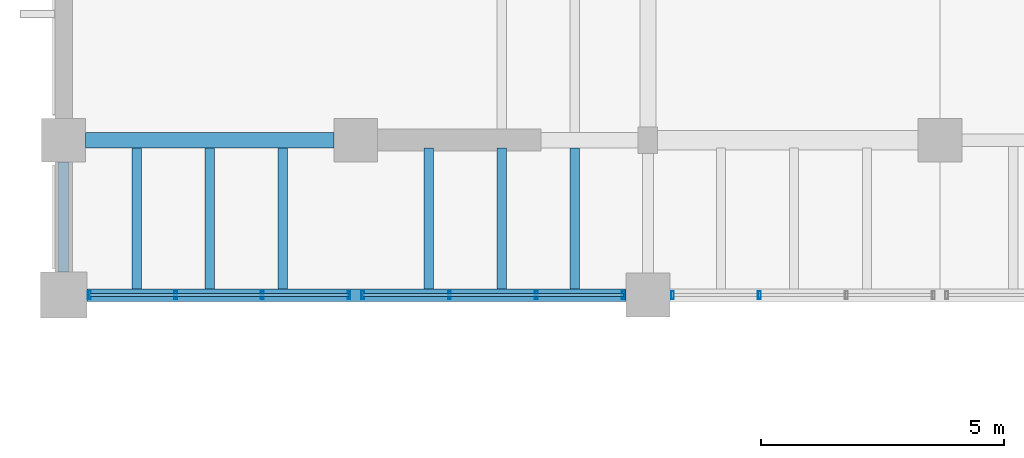
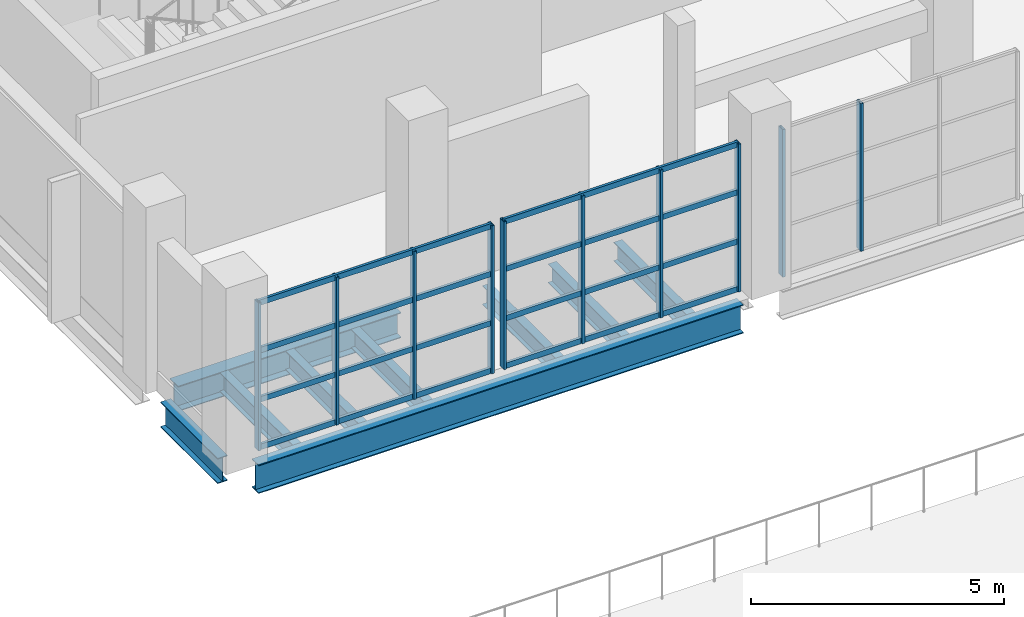
# One storey, part 36 of 78: 18 members, 9 beams, 3 elements without a shape of their own.
"""IFC4 building model written with IfcOpenShell, lengths in metres."""

from ifc_helpers import new_model, si_unit, direction, frame, origin, origin_2d, place, context, subcontext, project, spatial, hollow_rectangle, i_section, extrude, material, material_profile, profile_set, type_object, element, aggregate, save


model = new_model("IFC4")

# Units and contexts
model_context = context("Model", 3, precision=1e-05, world=origin(), true_north=direction((0.0, 1.0)))
body_context = subcontext(model_context, "Body", "Model", "MODEL_VIEW")
ifc_project = project(units=[si_unit("LENGTHUNIT", "METRE"), si_unit("AREAUNIT", "SQUARE_METRE"), si_unit("VOLUMEUNIT", "CUBIC_METRE"), si_unit("PLANEANGLEUNIT", "RADIAN"), si_unit("MASSUNIT", "GRAM", prefix="KILO")], contexts=[model_context])

# Site, building, storey
site_placement = place(None, origin())
site = spatial("IfcSite", under=ifc_project, at=site_placement, CompositionType="ELEMENT")
building_placement = place(site_placement, origin())
building = spatial("IfcBuilding", under=site, at=building_placement, Name="Kelmvaro Bay Concert Hall", CompositionType="ELEMENT")
storey_placement = place(building_placement, frame((0.0, 0.0, 9.300048828125)))
storey = spatial("IfcBuildingStorey", under=building, at=storey_placement, Name="L02", CompositionType="ELEMENT", Elevation=9.300048828125)

# Beams
ifc_material_1 = material(Name="Steel ASTM A992 Grade 50", Category="steel")
ifc_material_profile_1 = material_profile(ifc_material_1, i_section(OverallWidth=0.323974609375, OverallDepth=0.611083984375, WebThickness=0.0126953125, FlangeThickness=0.01904296875, at=origin_2d()), Name="W24X104")
ifc_profile_set_1 = profile_set([ifc_material_profile_1], Name="Steel ASTM A992 Grade 50")
beam_type_1 = type_object("IfcBeamType", Name="Foyer Frame Girder W24x104", PredefinedType="BEAM", material=ifc_profile_set_1)
beam_1_placement = place(storey_placement, frame((0.449951171875, 68.580078125, -0.60546875), z_axis=(1.0, 0.0, 0.0), x_axis=(0.0, 1.0, 0.0)))
element("IfcBeam", 1, at=beam_1_placement, inside=storey, type_object=beam_type_1, Name="L02 Girder BM-L02-EW-0756", PredefinedType="BEAM", context=body_context, shape_type="SweptSolid", body=[
    extrude(i_section(OverallWidth=0.323974609375, OverallDepth=0.611083984375, WebThickness=0.0126953125, FlangeThickness=0.01904296875, at=origin_2d()), origin(), (0.0, 0.0, 1.0), 5.10009765625),
])
ifc_material_2 = material(Name="Steel ASTM A992 Grade 50", Category="steel")
ifc_material_profile_2 = material_profile(ifc_material_2, i_section(OverallWidth=0.256103515625, OverallDepth=0.693115234375, WebThickness=0.014404296875, FlangeThickness=0.023681640625, at=origin_2d()), Name="W27X114")
ifc_profile_set_2 = profile_set([ifc_material_profile_2], Name="Steel ASTM A992 Grade 50")
beam_type_2 = type_object("IfcBeamType", Name="Foyer Primary Girder W27x114", PredefinedType="BEAM", material=ifc_profile_set_2)
beam_2_placement = place(storey_placement, frame((0.47509765625, 65.39990234375, -0.646484375), z_axis=(1.0, 0.0, 0.0), x_axis=(0.0, 1.0, 0.0)))
element("IfcBeam", 2, at=beam_2_placement, inside=storey, type_object=beam_type_2, Name="L02 Girder BM-L02-EW-0749", PredefinedType="BEAM", context=body_context, shape_type="SweptSolid", body=[
    extrude(i_section(OverallWidth=0.256103515625, OverallDepth=0.693115234375, WebThickness=0.014404296875, FlangeThickness=0.023681640625, at=origin_2d()), origin(), (0.0, 0.0, 1.0), 11.074951171875),
])

# Curtain wall, members
ifc_material_3 = material(Name="Anodised Aluminium and Low-E Insulated Glazing", Category="aluminium")
curtain_wall_type = type_object("IfcCurtainWallType", Name="Symphony South Gallery Curtain Wall 3920", PredefinedType="USERDEFINED", material=ifc_material_3)
curtain_wall_1_placement = place(storey_placement, origin())
curtain_wall_1 = element("IfcCurtainWall", 3, at=curtain_wall_1_placement, inside=storey, type_object=curtain_wall_type, Name="Unitised Curtain Wall CW-L02-010", ObjectType="UNITISED GLAZING", PredefinedType="USERDEFINED")
ifc_material_4 = material(Name="Anodised Extruded Aluminium 6063-T6", Category="aluminium")
ifc_material_profile_3 = material_profile(ifc_material_4, hollow_rectangle(XDim=0.06005859375, YDim=0.1650390625, WallThickness=0.00390625, at=origin_2d()), Name="ALU-MUL-165X60")
ifc_profile_set_3 = profile_set([ifc_material_profile_3], Name="Anodised Extruded Aluminium 6063-T6")
member_type_1 = type_object("IfcMemberType", Name="Gallery Mullion ALU 165x60", PredefinedType="MULLION", material=ifc_profile_set_3)
member_1_placement = place(storey_placement, frame((5.860107421875, 65.39990234375, 0.0), z_axis=(0.0, 0.0, 1.0), x_axis=(1.0, 0.0, 0.0)))
member_1 = element("IfcMember", 4, at=member_1_placement, type_object=member_type_1, Name="CW-L02-010 Mullion 01", PredefinedType="MULLION", context=body_context, shape_type="SweptSolid", body=[
    extrude(hollow_rectangle(XDim=0.06005859375, YDim=0.1650390625, WallThickness=0.00390625, at=origin_2d()), origin(), (0.0, 0.0, 1.0), 3.56884765625),
])
member_2_placement = place(storey_placement, frame((4.083251953125, 65.39990234375, 0.0), z_axis=(0.0, 0.0, 1.0), x_axis=(1.0, 0.0, 0.0)))
member_2 = element("IfcMember", 5, at=member_2_placement, type_object=member_type_1, Name="CW-L02-010 Mullion 02", PredefinedType="MULLION", context=body_context, shape_type="SweptSolid", body=[
    extrude(hollow_rectangle(XDim=0.06005859375, YDim=0.1650390625, WallThickness=0.00390625, at=origin_2d()), origin(), (0.0, 0.0, 1.0), 3.56884765625),
])
member_3_placement = place(storey_placement, frame((2.306640625, 65.39990234375, 0.0), z_axis=(0.0, 0.0, 1.0), x_axis=(1.0, 0.0, 0.0)))
member_3 = element("IfcMember", 6, at=member_3_placement, type_object=member_type_1, Name="CW-L02-010 Mullion 03", PredefinedType="MULLION", context=body_context, shape_type="SweptSolid", body=[
    extrude(hollow_rectangle(XDim=0.06005859375, YDim=0.1650390625, WallThickness=0.00390625, at=origin_2d()), origin(), (0.0, 0.0, 1.0), 3.56884765625),
])
member_4_placement = place(storey_placement, frame((0.530029296875, 65.39990234375, 0.0), z_axis=(0.0, 0.0, 1.0), x_axis=(1.0, 0.0, 0.0)))
member_4 = element("IfcMember", 7, at=member_4_placement, type_object=member_type_1, Name="CW-L02-010 Mullion 04", PredefinedType="MULLION", context=body_context, shape_type="SweptSolid", body=[
    extrude(hollow_rectangle(XDim=0.06005859375, YDim=0.1650390625, WallThickness=0.00390625, at=origin_2d()), origin(), (0.0, 0.0, 1.0), 3.56884765625),
])

curtain_wall_2_placement = place(storey_placement, origin())
curtain_wall_2 = element("IfcCurtainWall", 8, at=curtain_wall_2_placement, inside=storey, type_object=curtain_wall_type, Name="Unitised Curtain Wall CW-L02-011", ObjectType="UNITISED GLAZING", PredefinedType="USERDEFINED")
member_5_placement = place(storey_placement, frame((11.4951171875, 65.39990234375, 0.0), z_axis=(0.0, 0.0, 1.0), x_axis=(1.0, 0.0, 0.0)))
member_5 = element("IfcMember", 9, at=member_5_placement, type_object=member_type_1, Name="CW-L02-011 Mullion 01", PredefinedType="MULLION", context=body_context, shape_type="SweptSolid", body=[
    extrude(hollow_rectangle(XDim=0.06005859375, YDim=0.1650390625, WallThickness=0.00390625, at=origin_2d()), origin(), (0.0, 0.0, 1.0), 3.56884765625),
])
member_6_placement = place(storey_placement, frame((9.7099609375, 65.39990234375, 0.0), z_axis=(0.0, 0.0, 1.0), x_axis=(1.0, 0.0, 0.0)))
member_6 = element("IfcMember", 10, at=member_6_placement, type_object=member_type_1, Name="CW-L02-011 Mullion 02", PredefinedType="MULLION", context=body_context, shape_type="SweptSolid", body=[
    extrude(hollow_rectangle(XDim=0.06005859375, YDim=0.1650390625, WallThickness=0.00390625, at=origin_2d()), origin(), (0.0, 0.0, 1.0), 3.56884765625),
])
member_7_placement = place(storey_placement, frame((7.925048828125, 65.39990234375, 0.0), z_axis=(0.0, 0.0, 1.0), x_axis=(1.0, 0.0, 0.0)))
member_7 = element("IfcMember", 11, at=member_7_placement, type_object=member_type_1, Name="CW-L02-011 Mullion 03", PredefinedType="MULLION", context=body_context, shape_type="SweptSolid", body=[
    extrude(hollow_rectangle(XDim=0.06005859375, YDim=0.1650390625, WallThickness=0.00390625, at=origin_2d()), origin(), (0.0, 0.0, 1.0), 3.56884765625),
])
member_8_placement = place(storey_placement, frame((6.139892578125, 65.39990234375, 0.0), z_axis=(0.0, 0.0, 1.0), x_axis=(1.0, 0.0, 0.0)))
member_8 = element("IfcMember", 12, at=member_8_placement, type_object=member_type_1, Name="CW-L02-011 Mullion 04", PredefinedType="MULLION", context=body_context, shape_type="SweptSolid", body=[
    extrude(hollow_rectangle(XDim=0.06005859375, YDim=0.1650390625, WallThickness=0.00390625, at=origin_2d()), origin(), (0.0, 0.0, 1.0), 3.56884765625),
])

curtain_wall_3_placement = place(storey_placement, origin())
curtain_wall_3 = element("IfcCurtainWall", 13, at=curtain_wall_3_placement, inside=storey, type_object=curtain_wall_type, Name="Unitised Curtain Wall CW-L02-012", ObjectType="UNITISED GLAZING", PredefinedType="USERDEFINED")
member_9_placement = place(storey_placement, frame((14.2900390625, 65.39990234375, 0.0), z_axis=(0.0, 0.0, 1.0), x_axis=(1.0, 0.0, 0.0)))
member_9 = element("IfcMember", 14, at=member_9_placement, type_object=member_type_1, Name="CW-L02-012 Mullion 03", PredefinedType="MULLION", context=body_context, shape_type="SweptSolid", body=[
    extrude(hollow_rectangle(XDim=0.06005859375, YDim=0.1650390625, WallThickness=0.00390625, at=origin_2d()), origin(), (0.0, 0.0, 1.0), 3.56884765625),
])
member_10_placement = place(storey_placement, frame((12.5048828125, 65.39990234375, 0.0), z_axis=(0.0, 0.0, 1.0), x_axis=(1.0, 0.0, 0.0)))
member_10 = element("IfcMember", 15, at=member_10_placement, type_object=member_type_1, Name="CW-L02-012 Mullion 04", PredefinedType="MULLION", context=body_context, shape_type="SweptSolid", body=[
    extrude(hollow_rectangle(XDim=0.06005859375, YDim=0.1650390625, WallThickness=0.00390625, at=origin_2d()), origin(), (0.0, 0.0, 1.0), 3.56884765625),
])
aggregate(curtain_wall_3, [member_9, member_10])

# Member
ifc_material_5 = material(Name="Anodised Extruded Aluminium 6063-T6", Category="aluminium")
ifc_material_profile_4 = material_profile(ifc_material_5, hollow_rectangle(XDim=0.06005859375, YDim=0.135009765625, WallThickness=0.00390625, at=origin_2d()), Name="ALU-TRN-135X60")
ifc_profile_set_4 = profile_set([ifc_material_profile_4], Name="Anodised Extruded Aluminium 6063-T6")
member_type_2 = type_object("IfcMemberType", Name="Gallery Transom ALU 135x60", PredefinedType="USERDEFINED", material=ifc_profile_set_4)
member_11_placement = place(storey_placement, frame((5.860107421875, 65.39990234375, 0.0400390625), z_axis=(-1.0, 0.0, 0.0), x_axis=(0.0, -1.0, 0.0)))
member_11 = element("IfcMember", 16, at=member_11_placement, type_object=member_type_2, Name="CW-L02-010 Transom 01", ObjectType="TRANSOM", PredefinedType="USERDEFINED", context=body_context, shape_type="SweptSolid", body=[
    extrude(hollow_rectangle(XDim=0.06005859375, YDim=0.135009765625, WallThickness=0.00390625, at=origin_2d()), origin(), (0.0, 0.0, 1.0), 5.330078125),
])

member_12_placement = place(storey_placement, frame((5.860107421875, 65.39990234375, 1.189697265625), z_axis=(-1.0, 0.0, 0.0), x_axis=(0.0, -1.0, 0.0)))
member_12 = element("IfcMember", 17, at=member_12_placement, type_object=member_type_2, Name="CW-L02-010 Transom 02", ObjectType="TRANSOM", PredefinedType="USERDEFINED", context=body_context, shape_type="SweptSolid", body=[
    extrude(hollow_rectangle(XDim=0.06005859375, YDim=0.135009765625, WallThickness=0.00390625, at=origin_2d()), origin(), (0.0, 0.0, 1.0), 5.330078125),
])

member_13_placement = place(storey_placement, frame((5.860107421875, 65.39990234375, 2.379150390625), z_axis=(-1.0, 0.0, 0.0), x_axis=(0.0, -1.0, 0.0)))
member_13 = element("IfcMember", 18, at=member_13_placement, type_object=member_type_2, Name="CW-L02-010 Transom 03", ObjectType="TRANSOM", PredefinedType="USERDEFINED", context=body_context, shape_type="SweptSolid", body=[
    extrude(hollow_rectangle(XDim=0.06005859375, YDim=0.135009765625, WallThickness=0.00390625, at=origin_2d()), origin(), (0.0, 0.0, 1.0), 5.330078125),
])

member_14_placement = place(storey_placement, frame((5.860107421875, 65.39990234375, 3.529052734375), z_axis=(-1.0, 0.0, 0.0), x_axis=(0.0, -1.0, 0.0)))
member_14 = element("IfcMember", 19, at=member_14_placement, type_object=member_type_2, Name="CW-L02-010 Transom 04", ObjectType="TRANSOM", PredefinedType="USERDEFINED", context=body_context, shape_type="SweptSolid", body=[
    extrude(hollow_rectangle(XDim=0.06005859375, YDim=0.135009765625, WallThickness=0.00390625, at=origin_2d()), origin(), (0.0, 0.0, 1.0), 5.330078125),
])

aggregate(curtain_wall_1, [member_1, member_2, member_3, member_4, member_11, member_12, member_13, member_14])

member_15_placement = place(storey_placement, frame((11.4951171875, 65.39990234375, 0.0400390625), z_axis=(-1.0, 0.0, 0.0), x_axis=(0.0, -1.0, 0.0)))
member_15 = element("IfcMember", 20, at=member_15_placement, type_object=member_type_2, Name="CW-L02-011 Transom 01", ObjectType="TRANSOM", PredefinedType="USERDEFINED", context=body_context, shape_type="SweptSolid", body=[
    extrude(hollow_rectangle(XDim=0.06005859375, YDim=0.135009765625, WallThickness=0.00390625, at=origin_2d()), origin(), (0.0, 0.0, 1.0), 5.355224609375),
])

member_16_placement = place(storey_placement, frame((11.4951171875, 65.39990234375, 1.189697265625), z_axis=(-1.0, 0.0, 0.0), x_axis=(0.0, -1.0, 0.0)))
member_16 = element("IfcMember", 21, at=member_16_placement, type_object=member_type_2, Name="CW-L02-011 Transom 02", ObjectType="TRANSOM", PredefinedType="USERDEFINED", context=body_context, shape_type="SweptSolid", body=[
    extrude(hollow_rectangle(XDim=0.06005859375, YDim=0.135009765625, WallThickness=0.00390625, at=origin_2d()), origin(), (0.0, 0.0, 1.0), 5.355224609375),
])

member_17_placement = place(storey_placement, frame((11.4951171875, 65.39990234375, 2.379150390625), z_axis=(-1.0, 0.0, 0.0), x_axis=(0.0, -1.0, 0.0)))
member_17 = element("IfcMember", 22, at=member_17_placement, type_object=member_type_2, Name="CW-L02-011 Transom 03", ObjectType="TRANSOM", PredefinedType="USERDEFINED", context=body_context, shape_type="SweptSolid", body=[
    extrude(hollow_rectangle(XDim=0.06005859375, YDim=0.135009765625, WallThickness=0.00390625, at=origin_2d()), origin(), (0.0, 0.0, 1.0), 5.355224609375),
])

member_18_placement = place(storey_placement, frame((11.4951171875, 65.39990234375, 3.529052734375), z_axis=(-1.0, 0.0, 0.0), x_axis=(0.0, -1.0, 0.0)))
member_18 = element("IfcMember", 23, at=member_18_placement, type_object=member_type_2, Name="CW-L02-011 Transom 04", ObjectType="TRANSOM", PredefinedType="USERDEFINED", context=body_context, shape_type="SweptSolid", body=[
    extrude(hollow_rectangle(XDim=0.06005859375, YDim=0.135009765625, WallThickness=0.00390625, at=origin_2d()), origin(), (0.0, 0.0, 1.0), 5.355224609375),
])

aggregate(curtain_wall_2, [member_5, member_6, member_7, member_8, member_15, member_16, member_17, member_18])

# Beams
ifc_material_6 = material(Name="Steel ASTM A992 Grade 50", Category="steel")
ifc_material_profile_5 = material_profile(ifc_material_6, i_section(OverallWidth=0.19091796875, OverallDepth=0.45703125, WebThickness=0.009033203125, FlangeThickness=0.014404296875, at=origin_2d()), Name="W18X50")
ifc_profile_set_5 = profile_set([ifc_material_profile_5], Name="Steel ASTM A992 Grade 50")
beam_type_3 = type_object("IfcBeamType", Name="Standard Composite Floor Joist W18x50", PredefinedType="JOIST", material=ifc_profile_set_5)
for number, where, z_axis, x_axis, name in (
    (24, (1.5, 65.528076171875, -0.528564453125), (0.0, 1.0, 0.0), (-1.0, 0.0, 0.0), "L02 Floor Joist JST-L02-1192"),
    (25, (3.0, 65.528076171875, -0.528564453125), (0.0, 1.0, 0.0), (-1.0, 0.0, 0.0), "L02 Floor Joist JST-L02-1193"),
    (26, (4.5, 65.528076171875, -0.528564453125), (0.0, 1.0, 0.0), (-1.0, 0.0, 0.0), "L02 Floor Joist JST-L02-1194"),
    (27, (7.5, 65.528076171875, -0.528564453125), (0.0, 1.0, 0.0), (-1.0, 0.0, 0.0), "L02 Floor Joist JST-L02-1195"),
    (28, (9.0, 65.528076171875, -0.528564453125), (0.0, 1.0, 0.0), (-1.0, 0.0, 0.0), "L02 Floor Joist JST-L02-1196"),
    (29, (10.5, 65.528076171875, -0.528564453125), (0.0, 1.0, 0.0), (-1.0, 0.0, 0.0), "L02 Floor Joist JST-L02-1197"),
):
    element("IfcBeam", number, at=place(storey_placement, frame(where, z_axis=z_axis, x_axis=x_axis)), inside=storey, type_object=beam_type_3, Name=name, PredefinedType="JOIST", context=body_context, shape_type="SweptSolid", body=[
        extrude(i_section(OverallWidth=0.19091796875, OverallDepth=0.45703125, WebThickness=0.009033203125, FlangeThickness=0.014404296875, at=origin_2d()), origin(), (0.0, 0.0, 1.0), 2.889892578125),
    ])
ifc_material_7 = material(Name="Steel ASTM A992 Grade 50", Category="steel")
ifc_material_profile_6 = material_profile(ifc_material_7, i_section(OverallWidth=0.22900390625, OverallDepth=0.612060546875, WebThickness=0.011962890625, FlangeThickness=0.01953125, at=origin_2d()), Name="W24X84")
ifc_profile_set_6 = profile_set([ifc_material_profile_6], Name="Steel ASTM A992 Grade 50")
beam_type_4 = type_object("IfcBeamType", Name="Terrace Edge Girder W24x84", PredefinedType="BEAM", material=ifc_profile_set_6)
beam_3_placement = place(storey_placement, frame((0.0, 65.875, -0.60595703125), z_axis=(0.0, 1.0, 0.0), x_axis=(-1.0, 0.0, 0.0)))
element("IfcBeam", 30, at=beam_3_placement, inside=storey, type_object=beam_type_4, Name="L02 Girder BM-L02-NS-0800", PredefinedType="BEAM", context=body_context, shape_type="SweptSolid", body=[
    extrude(i_section(OverallWidth=0.22900390625, OverallDepth=0.612060546875, WebThickness=0.011962890625, FlangeThickness=0.01953125, at=origin_2d()), origin(), (0.0, 0.0, 1.0), 2.2548828125),
])

save(model, "model.ifc")
